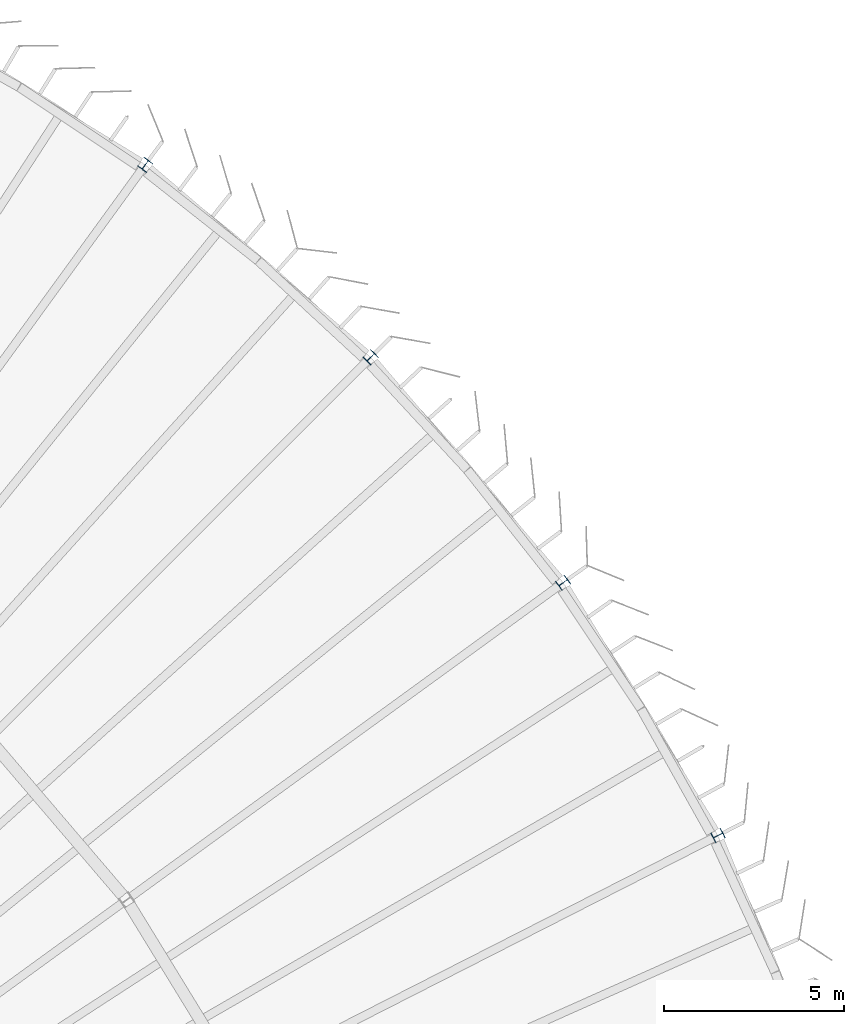
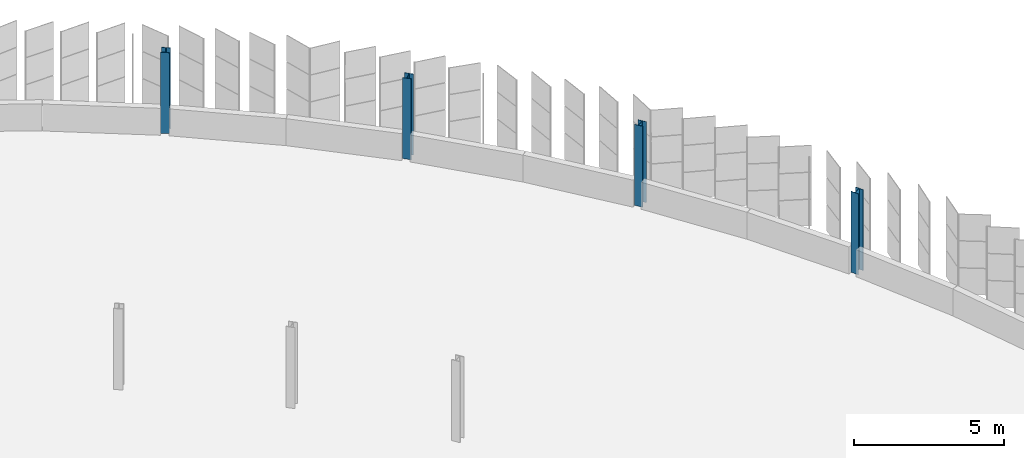
# One storey, part 23 of 199: 4 columns.
"""IFC4 building model written with IfcOpenShell, lengths in metres."""

from ifc_helpers import new_model, si_unit, direction, frame, origin, origin_2d, place, context, subcontext, project, spatial, i_section, extrude, material, material_profile, profile_set, type_object, element, save


model = new_model("IFC4")

# Units and contexts
model_context = context("Model", 3, precision=1e-05, world=origin(), true_north=direction((0.0, 1.0)))
body_context = subcontext(model_context, "Body", "Model", "MODEL_VIEW")
ifc_project = project(units=[si_unit("LENGTHUNIT", "METRE"), si_unit("AREAUNIT", "SQUARE_METRE"), si_unit("VOLUMEUNIT", "CUBIC_METRE"), si_unit("PLANEANGLEUNIT", "RADIAN"), si_unit("MASSUNIT", "GRAM", prefix="KILO")], contexts=[model_context])

# Site, building, storey
site_placement = place(None, origin())
site = spatial("IfcSite", under=ifc_project, at=site_placement, CompositionType="ELEMENT")
building_placement = place(site_placement, origin())
building = spatial("IfcBuilding", under=site, at=building_placement, Name="Parallax Yard Mobility Hub", CompositionType="ELEMENT")
storey_placement = place(building_placement, frame((0.0, 0.0, 9.89990234375)))
storey = spatial("IfcBuildingStorey", under=building, at=storey_placement, Name="L03", CompositionType="ELEMENT", Elevation=9.89990234375)

# Columns
ifc_material = material(Name="Steel ASTM A992", Category="steel")
ifc_material_profile = material_profile(ifc_material, i_section(OverallWidth=0.304931640625, OverallDepth=0.306884765625, WebThickness=0.010009765625, FlangeThickness=0.015380859375, FilletRadius=0.01513671875, at=origin_2d()), Name="W310x97")
ifc_profile_set = profile_set([ifc_material_profile], Name="Steel ASTM A992")
column_type = type_object("IfcColumnType", Name="W310x97 column", PredefinedType="COLUMN", material=ifc_profile_set)
for number, where, z_axis, x_axis, name in (
    (1, (203.358642578125, 132.473388671875, 0.0), (0.0, 0.0, 1.0), (-0.809016994375, 0.587785252292, 0.0), "Column C1 level L03 at RC/R4 of ramped parking decks"),
    (2, (209.623046875, 127.123046875, 0.0), (0.0, 0.0, 1.0), (-0.707106781187, 0.707106781187, 0.0), "Column C1 level L03 at RC/R5 of ramped parking decks"),
    (3, (214.973388671875, 120.858642578125, 0.0), (0.0, 0.0, 1.0), (-0.587785252292, 0.809016994375, 0.0), "Column C1 level L03 at RC/R6 of ramped parking decks"),
    (4, (219.27783203125, 113.83447265625, 0.0), (0.0, 0.0, 1.0), (-0.45399049974, 0.891006524188, 0.0), "Column C1 level L03 at RC/R7 of ramped parking decks"),
):
    element("IfcColumn", number, at=place(storey_placement, frame(where, z_axis=z_axis, x_axis=x_axis)), inside=storey, type_object=column_type, Name=name, PredefinedType="COLUMN", context=body_context, shape_type="SweptSolid", body=[
        extrude(i_section(OverallWidth=0.304931640625, OverallDepth=0.306884765625, WebThickness=0.010009765625, FlangeThickness=0.015380859375, FilletRadius=0.01513671875, at=origin_2d()), origin(), (0.0, 0.0, 1.0), 3.300048828125),
    ])

save(model, "model.ifc")
